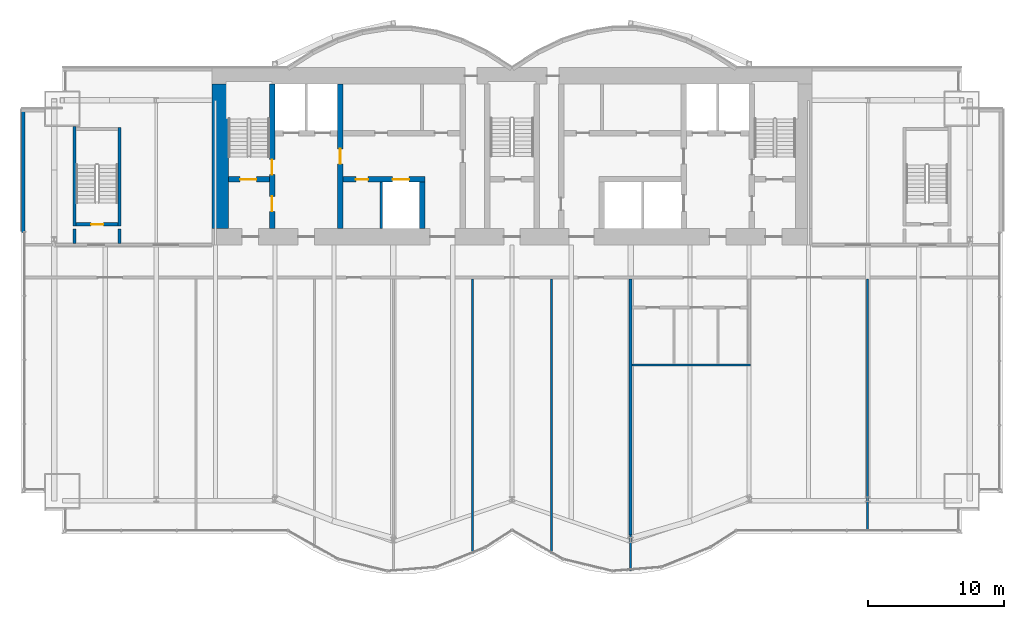
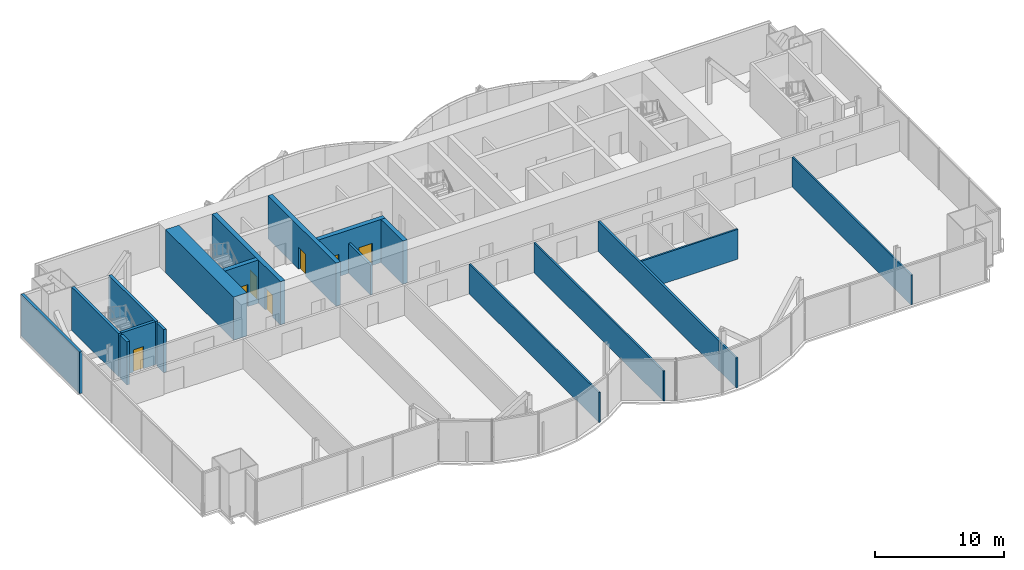
# One storey, part 15 of 21: 19 walls, 7 doors, 7 openings.
"""IFC4 building model written with IfcOpenShell, lengths in metres."""

from ifc_helpers import new_model, si_unit, direction, frame, frame_2d, origin, place, context, subcontext, project, spatial, rectangle, extrude, material, layer, layer_set, layer_usage, type_object, element, fill, save


model = new_model("IFC4")

# Units and contexts
model_context = context("Model", 3, precision=1e-05, world=origin(), true_north=direction((0.0, 1.0)))
body_context = subcontext(model_context, "Body", "Model", "MODEL_VIEW")
ifc_project = project(units=[si_unit("LENGTHUNIT", "METRE"), si_unit("AREAUNIT", "SQUARE_METRE"), si_unit("VOLUMEUNIT", "CUBIC_METRE"), si_unit("PLANEANGLEUNIT", "RADIAN"), si_unit("MASSUNIT", "GRAM", prefix="KILO")], contexts=[model_context])

# Site, building, storey
site_placement = place(None, origin())
site = spatial("IfcSite", under=ifc_project, at=site_placement, CompositionType="ELEMENT")
building_placement = place(site_placement, origin())
building = spatial("IfcBuilding", under=site, at=building_placement, Name="Bicima Exchange Tower", CompositionType="ELEMENT")
storey_placement = place(building_placement, frame((0.0, 0.0, 173.199951171875)))
storey = spatial("IfcBuildingStorey", under=building, at=storey_placement, Name="L38", CompositionType="ELEMENT", Elevation=173.199951171875)

# Walls
ifc_material_1 = material(Name="Gypsum board partition")
ifc_layer_1 = layer(ifc_material_1, 0.199951171875)
ifc_layer_set_1 = layer_set([ifc_layer_1], Name="Gypsum board partition")
wall_type_1 = type_object("IfcWallType", Name="Fire-rated gypsum partition 200 EI120", PredefinedType="PARTITIONING", material=ifc_layer_set_1)
wall_1_placement = place(storey_placement, frame((-9.60009765625, -11.800048828125, 0.0), z_axis=(0.0, 0.0, 1.0), x_axis=(0.0, 1.0, 0.0)))
element("IfcWall", 1, at=wall_1_placement, inside=storey, type_object=wall_type_1, Name="partition wall 11", PredefinedType="PARTITIONING", context=body_context, shape_type="SweptSolid", body=[
    extrude(rectangle(XDim=3.400146484375, YDim=0.199951171875, at=frame_2d((1.7001953125, 0.0))), origin(), (0.0, 0.0, 1.0), 2.84033203125),
])
ifc_layer_2 = layer(ifc_material_1, 0.199951171875)
ifc_layer_set_2 = layer_set([ifc_layer_2], Name="Gypsum board partition")
wall_type_2 = type_object("IfcWallType", Name="Fire-rated gypsum partition 200 EI60", PredefinedType="PARTITIONING", material=ifc_layer_set_2)
wall_2_placement = place(storey_placement, frame((8.699951171875, -34.3017578125, 0.0), z_axis=(0.0, 0.0, 1.0), x_axis=(0.0, 1.0, 0.0)))
element("IfcWall", 2, at=wall_2_placement, inside=storey, type_object=wall_type_2, Name="partition wall 22", PredefinedType="PARTITIONING", context=body_context, shape_type="SweptSolid", body=[
    extrude(rectangle(XDim=18.8017578125, YDim=0.199951171875, at=frame_2d((9.40087890625, 0.0))), origin(), (0.0, 0.0, 1.0), 2.84033203125),
])
ifc_layer_3 = layer(ifc_material_1, 0.14990234375)
ifc_layer_set_3 = layer_set([ifc_layer_3], Name="Gypsum board partition")
wall_type_3 = type_object("IfcWallType", Name="Gypsum partition 150", PredefinedType="PARTITIONING", material=ifc_layer_set_3)
wall_3_placement = place(storey_placement, frame((8.800048828125, -21.800048828125, 0.0), z_axis=(0.0, 0.0, 1.0), x_axis=(1.0, 0.0, 0.0)))
element("IfcWall", 3, at=wall_3_placement, inside=storey, type_object=wall_type_3, Name="partition wall 1", PredefinedType="PARTITIONING", context=body_context, shape_type="SweptSolid", body=[
    extrude(rectangle(XDim=8.699951171875, YDim=0.14990234375, at=frame_2d((4.35009765625, 0.0))), origin(), (0.0, 0.0, 1.0), 2.84033203125),
])
for number, where, z_axis, x_axis, name in (
    (4, (-2.89990234375, -35.659912109375, 0.0), (0.0, 0.0, 1.0), (0.0, 1.0, 0.0), "partition wall 19"),
    (5, (2.89990234375, -35.659912109375, 0.0), (0.0, 0.0, 1.0), (0.0, 1.0, 0.0), "partition wall 20"),
):
    element("IfcWall", number, at=place(storey_placement, frame(where, z_axis=z_axis, x_axis=x_axis)), inside=storey, type_object=wall_type_3, Name=name, PredefinedType="PARTITIONING", context=body_context, shape_type="SweptSolid", body=[
        extrude(rectangle(XDim=20.159912109375, YDim=0.14990234375, at=frame_2d((10.080078125, 0.0))), origin(), (0.0, 0.0, 1.0), 2.84033203125),
    ])
wall_4_placement = place(storey_placement, frame((8.699951171875, -36.93994140625, 0.0), z_axis=(0.0, 0.0, 1.0), x_axis=(0.0, 1.0, 0.0)))
element("IfcWall", 6, at=wall_4_placement, inside=storey, type_object=wall_type_3, Name="partition wall 21", PredefinedType="PARTITIONING", context=body_context, shape_type="SweptSolid", body=[
    extrude(rectangle(XDim=2.63818359375, YDim=0.14990234375, at=frame_2d((1.319091796875, 0.0))), origin(), (0.0, 0.0, 1.0), 2.84033203125),
])
wall_5_placement = place(storey_placement, frame((26.10009765625, -33.97998046875, 0.0), z_axis=(0.0, 0.0, 1.0), x_axis=(0.0, 1.0, 0.0)))
element("IfcWall", 7, at=wall_5_placement, inside=storey, type_object=wall_type_3, Name="partition wall 26", PredefinedType="PARTITIONING", context=body_context, shape_type="SweptSolid", body=[
    extrude(rectangle(XDim=18.47998046875, YDim=0.14990234375, at=frame_2d((9.239990234375, 0.0))), origin(), (0.0, 0.0, 1.0), 2.84033203125),
])
ifc_material_2 = material(Name="Concrete C50/60", Category="concrete")
ifc_layer_4 = layer(ifc_material_2, 1.199951171875)
ifc_layer_set_4 = layer_set([ifc_layer_4], Name="Concrete C50/60")
wall_type_4 = type_object("IfcWallType", Name="RC core wall 1200 C50/60", PredefinedType="SHEAR", material=ifc_layer_set_4)
wall_6_placement = place(storey_placement, frame((-21.39990234375, -11.800048828125, 0.0), z_axis=(0.0, 0.0, 1.0), x_axis=(0.0, 1.0, 0.0)))
element("IfcWall", 8, at=wall_6_placement, inside=storey, type_object=wall_type_4, Name="Core wall west", PredefinedType="SHEAR", context=body_context, shape_type="SweptSolid", body=[
    extrude(rectangle(XDim=10.60009765625, YDim=1.199951171875, at=frame_2d((5.300048828125, 0.0))), origin(), (0.0, 0.0, 1.0), 4.10009765625),
])
ifc_layer_5 = layer(ifc_material_2, 0.25)
ifc_layer_set_5 = layer_set([ifc_layer_5], Name="Concrete C50/60")
wall_type_5 = type_object("IfcWallType", Name="RC core wall 250 C50/60", PredefinedType="SHEAR", material=ifc_layer_set_5)
for number, where, z_axis, x_axis, name in (
    (9, (-32.10009765625, -12.89990234375, 0.0), (0.0, 0.0, 1.0), (0.0, 1.0, 0.0), "stair wall 12"),
    (10, (-28.800048828125, -12.89990234375, 0.0), (0.0, 0.0, 1.0), (0.0, 1.0, 0.0), "stair wall 13"),
):
    element("IfcWall", number, at=place(storey_placement, frame(where, z_axis=z_axis, x_axis=x_axis)), inside=storey, type_object=wall_type_5, Name=name, PredefinedType="SHEAR", context=body_context, shape_type="SweptSolid", body=[
        extrude(rectangle(XDim=1.0498046875, YDim=0.25, at=frame_2d((0.52490234375, 0.0))), origin(), (0.0, 0.0, 1.0), 4.10009765625),
    ])

# Wall, opening, door
ifc_layer_6 = layer(ifc_material_2, 0.39990234375)
ifc_layer_set_6 = layer_set([ifc_layer_6], Name="Concrete C50/60")
wall_type_6 = type_object("IfcWallType", Name="RC core wall 400 C50/60", PredefinedType="SHEAR", material=ifc_layer_set_6)
wall_7_placement = place(storey_placement, frame((-20.800048828125, -8.199951171875, 0.0), z_axis=(0.0, 0.0, 1.0), x_axis=(1.0, 0.0, 0.0)))
wall_7 = element("IfcWall", 11, at=wall_7_placement, inside=storey, type_object=wall_type_6, Name="stair wall 1", PredefinedType="SHEAR", context=body_context, shape_type="SweptSolid", body=[
    extrude(rectangle(XDim=3.0, YDim=0.39990234375, at=frame_2d((1.5, 0.0))), origin(), (0.0, 0.0, 1.0), 4.10009765625),
])
opening_1_placement = place(wall_7_placement, frame((0.85009765625, 0.0, 0.0)))
opening_1 = element("IfcOpeningElement", 12, at=opening_1_placement, cuts=wall_7, Name="Opening L38-C01", PredefinedType="OPENING", context=body_context, shape_type="SweptSolid", body=[
    extrude(rectangle(XDim=1.199951171875, YDim=2.10009765625, at=frame_2d((0.60009765625, 1.050048828125))), frame((0.0, 0.2119140625, 0.0), z_axis=(0.0, -1.0, 0.0), x_axis=(1.0, 0.0, 0.0)), (0.0, 0.0, 1.0), 0.423828125),
])
ifc_material_3 = material(Name="Steel fire door leaf", Category="steel")
door_type_1 = type_object("IfcDoorType", Name="Door 1200 swing FD60S", OperationType="SINGLE_SWING_LEFT", PredefinedType="DOOR", material=ifc_material_3)
door_1_placement = place(opening_1_placement, origin())
door_1 = element("IfcDoor", 13, at=door_1_placement, inside=storey, type_object=door_type_1, Name="Core door", OperationType="SINGLE_SWING_LEFT", OverallHeight=2.10009765625, OverallWidth=1.199951171875, PredefinedType="DOOR", context=body_context, shape_type="SweptSolid", body=[
    extrude(rectangle(XDim=1.199951171875, YDim=2.10009765625, at=frame_2d((0.60009765625, 1.050048828125))), frame((0.0, 0.02490234375, 0.0), z_axis=(0.0, -1.0, 0.0), x_axis=(1.0, 0.0, 0.0)), (0.0, 0.0, 1.0), 0.050048828125),
])
fill(opening_1, door_1)

# Wall, openings, doors
wall_8_placement = place(storey_placement, frame((-12.39990234375, -8.199951171875, 0.0), z_axis=(0.0, 0.0, 1.0), x_axis=(1.0, 0.0, 0.0)))
wall_8 = element("IfcWall", 14, at=wall_8_placement, inside=storey, type_object=wall_type_6, Name="shear wall 2", PredefinedType="SHEAR", context=body_context, shape_type="SweptSolid", body=[
    extrude(rectangle(XDim=6.0, YDim=0.39990234375, at=frame_2d((3.0, 0.0))), origin(), (0.0, 0.0, 1.0), 4.10009765625),
])
opening_2_placement = place(wall_8_placement, frame((3.64990234375, 0.0, 0.0)))
opening_2 = element("IfcOpeningElement", 15, at=opening_2_placement, cuts=wall_8, Name="Opening LD-MB1-L38", PredefinedType="OPENING", context=body_context, shape_type="SweptSolid", body=[
    extrude(rectangle(XDim=1.199951171875, YDim=2.10009765625, at=frame_2d((0.60009765625, 1.050048828125))), frame((0.0, 0.2119140625, 0.0), z_axis=(0.0, -1.0, 0.0), x_axis=(1.0, 0.0, 0.0)), (0.0, 0.0, 1.0), 0.423828125),
])
opening_3_placement = place(wall_8_placement, frame((0.949951171875, 0.0, 0.0)))
opening_3 = element("IfcOpeningElement", 16, at=opening_3_placement, cuts=wall_8, Name="Opening L38-C16", PredefinedType="OPENING", context=body_context, shape_type="SweptSolid", body=[
    extrude(rectangle(XDim=0.89990234375, YDim=2.10009765625, at=frame_2d((0.449951171875, 1.050048828125))), frame((0.0, 0.2119140625, 0.0), z_axis=(0.0, -1.0, 0.0), x_axis=(1.0, 0.0, 0.0)), (0.0, 0.0, 1.0), 0.423828125),
])
door_type_2 = type_object("IfcDoorType", Name="Door 900 swing FD30S", OperationType="SINGLE_SWING_LEFT", PredefinedType="DOOR", material=ifc_material_3)
door_2_placement = place(opening_3_placement, frame((0.89990234375, 0.0, 0.0), z_axis=(0.0, 0.0, 1.0), x_axis=(-1.0, 0.0, 0.0)))
door_2 = element("IfcDoor", 17, at=door_2_placement, inside=storey, type_object=door_type_2, Name="Core door", OperationType="SINGLE_SWING_LEFT", OverallHeight=2.10009765625, OverallWidth=0.89990234375, PredefinedType="DOOR", context=body_context, shape_type="SweptSolid", body=[
    extrude(rectangle(XDim=0.89990234375, YDim=2.10009765625, at=frame_2d((0.449951171875, 1.050048828125))), frame((0.0, 0.02490234375, 0.0), z_axis=(0.0, -1.0, 0.0), x_axis=(1.0, 0.0, 0.0)), (0.0, 0.0, 1.0), 0.050048828125),
])
fill(opening_3, door_2)
ifc_material_4 = material(Name="Stainless steel", Category="steel")
door_type_3 = type_object("IfcDoorType", Name="Lift landing door 1200 sliding", OperationType="DOUBLE_DOOR_SLIDING", PredefinedType="DOOR", material=ifc_material_4)
door_3_placement = place(opening_2_placement, origin())
door_3 = element("IfcDoor", 18, at=door_3_placement, inside=storey, type_object=door_type_3, Name="Lift landing door MB1", OperationType="DOUBLE_DOOR_SLIDING", OverallHeight=2.10009765625, OverallWidth=1.199951171875, PredefinedType="DOOR", context=body_context, shape_type="SweptSolid", body=[
    extrude(rectangle(XDim=1.199951171875, YDim=2.10009765625, at=frame_2d((0.60009765625, 1.050048828125))), frame((0.0, 0.02490234375, 0.0), z_axis=(0.0, -1.0, 0.0), x_axis=(1.0, 0.0, 0.0)), (0.0, 0.0, 1.0), 0.050048828125),
])
fill(opening_2, door_3)

wall_9_placement = place(storey_placement, frame((-17.60009765625, -11.800048828125, 0.0), z_axis=(0.0, 0.0, 1.0), x_axis=(0.0, 1.0, 0.0)))
wall_9 = element("IfcWall", 19, at=wall_9_placement, inside=storey, type_object=wall_type_6, Name="stair wall 8", PredefinedType="SHEAR", context=body_context, shape_type="SweptSolid", body=[
    extrude(rectangle(XDim=10.60009765625, YDim=0.39990234375, at=frame_2d((5.300048828125, 0.0))), origin(), (0.0, 0.0, 1.0), 4.10009765625),
])
opening_4_placement = place(wall_9_placement, frame((1.25, 0.0, 0.0)))
opening_4 = element("IfcOpeningElement", 20, at=opening_4_placement, cuts=wall_9, Name="Opening L38-C02", PredefinedType="OPENING", context=body_context, shape_type="SweptSolid", body=[
    extrude(rectangle(XDim=1.10009765625, YDim=2.10009765625, at=frame_2d((0.550048828125, 1.050048828125))), frame((0.0, 0.2119140625, 0.0), z_axis=(0.0, -1.0, 0.0), x_axis=(1.0, 0.0, 0.0)), (0.0, 0.0, 1.0), 0.423828125),
])
opening_5_placement = place(wall_9_placement, frame((3.949951171875, 0.0, 0.0)))
opening_5 = element("IfcOpeningElement", 21, at=opening_5_placement, cuts=wall_9, Name="Opening L38-C06", PredefinedType="OPENING", context=body_context, shape_type="SweptSolid", body=[
    extrude(rectangle(XDim=1.10009765625, YDim=2.10009765625, at=frame_2d((0.550048828125, 1.050048828125))), frame((0.0, 0.2119140625, 0.0), z_axis=(0.0, -1.0, 0.0), x_axis=(1.0, 0.0, 0.0)), (0.0, 0.0, 1.0), 0.423828125),
])
door_type_4 = type_object("IfcDoorType", Name="Door 1100 swing FD60S", OperationType="SINGLE_SWING_LEFT", PredefinedType="DOOR", material=ifc_material_3)
door_4_placement = place(opening_4_placement, frame((1.10009765625, 0.0, 0.0), z_axis=(0.0, 0.0, 1.0), x_axis=(-1.0, 0.0, 0.0)))
door_4 = element("IfcDoor", 22, at=door_4_placement, inside=storey, type_object=door_type_4, Name="Core door", OperationType="SINGLE_SWING_LEFT", OverallHeight=2.10009765625, OverallWidth=1.10009765625, PredefinedType="DOOR", context=body_context, shape_type="SweptSolid", body=[
    extrude(rectangle(XDim=1.10009765625, YDim=2.10009765625, at=frame_2d((0.550048828125, 1.050048828125))), frame((0.0, 0.02490234375, 0.0), z_axis=(0.0, -1.0, 0.0), x_axis=(1.0, 0.0, 0.0)), (0.0, 0.0, 1.0), 0.050048828125),
])
fill(opening_4, door_4)
door_5_placement = place(opening_5_placement, frame((1.10009765625, 0.0, 0.0), z_axis=(0.0, 0.0, 1.0), x_axis=(-1.0, 0.0, 0.0)))
door_5 = element("IfcDoor", 23, at=door_5_placement, inside=storey, type_object=door_type_4, Name="Core door", OperationType="SINGLE_SWING_LEFT", OverallHeight=2.10009765625, OverallWidth=1.10009765625, PredefinedType="DOOR", context=body_context, shape_type="SweptSolid", body=[
    extrude(rectangle(XDim=1.10009765625, YDim=2.10009765625, at=frame_2d((0.550048828125, 1.050048828125))), frame((0.0, 0.02490234375, 0.0), z_axis=(0.0, -1.0, 0.0), x_axis=(1.0, 0.0, 0.0)), (0.0, 0.0, 1.0), 0.050048828125),
])
fill(opening_5, door_5)

# Wall, opening, door
wall_10_placement = place(storey_placement, frame((-12.60009765625, -11.800048828125, 0.0), z_axis=(0.0, 0.0, 1.0), x_axis=(0.0, 1.0, 0.0)))
wall_10 = element("IfcWall", 24, at=wall_10_placement, inside=storey, type_object=wall_type_6, Name="shear wall 10", PredefinedType="SHEAR", context=body_context, shape_type="SweptSolid", body=[
    extrude(rectangle(XDim=10.60009765625, YDim=0.39990234375, at=frame_2d((5.300048828125, 0.0))), origin(), (0.0, 0.0, 1.0), 4.10009765625),
])
opening_6_placement = place(wall_10_placement, frame((4.75, 0.0, 0.0)))
opening_6 = element("IfcOpeningElement", 25, at=opening_6_placement, cuts=wall_10, Name="Opening L38-C07", PredefinedType="OPENING", context=body_context, shape_type="SweptSolid", body=[
    extrude(rectangle(XDim=1.10009765625, YDim=2.10009765625, at=frame_2d((0.550048828125, 1.050048828125))), frame((0.0, 0.2119140625, 0.0), z_axis=(0.0, -1.0, 0.0), x_axis=(1.0, 0.0, 0.0)), (0.0, 0.0, 1.0), 0.423828125),
])
door_6_placement = place(opening_6_placement, origin())
door_6 = element("IfcDoor", 26, at=door_6_placement, inside=storey, type_object=door_type_4, Name="Core door", OperationType="SINGLE_SWING_LEFT", OverallHeight=2.10009765625, OverallWidth=1.10009765625, PredefinedType="DOOR", context=body_context, shape_type="SweptSolid", body=[
    extrude(rectangle(XDim=1.10009765625, YDim=2.10009765625, at=frame_2d((0.550048828125, 1.050048828125))), frame((0.0, 0.02490234375, 0.0), z_axis=(0.0, -1.0, 0.0), x_axis=(1.0, 0.0, 0.0)), (0.0, 0.0, 1.0), 0.050048828125),
])
fill(opening_6, door_6)

# Walls
wall_11_placement = place(storey_placement, frame((-6.60009765625, -11.800048828125, 0.0), z_axis=(0.0, 0.0, 1.0), x_axis=(0.0, 1.0, 0.0)))
element("IfcWall", 27, at=wall_11_placement, inside=storey, type_object=wall_type_6, Name="shear wall 12", PredefinedType="SHEAR", context=body_context, shape_type="SweptSolid", body=[
    extrude(rectangle(XDim=3.400146484375, YDim=0.39990234375, at=frame_2d((1.7001953125, 0.0))), origin(), (0.0, 0.0, 1.0), 4.10009765625),
])
ifc_layer_7 = layer(ifc_material_2, 0.25)
ifc_layer_set_7 = layer_set([ifc_layer_7], Name="Concrete C50/60")
wall_type_7 = type_object("IfcWallType", Name="RC stair enclosure wall 250 C50/60", PredefinedType="SHEAR", material=ifc_layer_set_7)
wall_12_placement = place(storey_placement, frame((-32.10009765625, -11.625, 0.0), z_axis=(0.0, 0.0, 1.0), x_axis=(0.0, 1.0, 0.0)))
element("IfcWall", 28, at=wall_12_placement, inside=storey, type_object=wall_type_7, Name="West end exit stair wall W", PredefinedType="SHEAR", context=body_context, shape_type="SweptSolid", body=[
    extrude(rectangle(XDim=7.324951171875, YDim=0.25, at=frame_2d((3.66259765625, 0.0))), origin(), (0.0, 0.0, 1.0), 4.10009765625),
])
wall_13_placement = place(storey_placement, frame((-28.800048828125, -11.625, 0.0), z_axis=(0.0, 0.0, 1.0), x_axis=(0.0, 1.0, 0.0)))
element("IfcWall", 29, at=wall_13_placement, inside=storey, type_object=wall_type_7, Name="West end exit stair wall E", PredefinedType="SHEAR", context=body_context, shape_type="SweptSolid", body=[
    extrude(rectangle(XDim=7.25, YDim=0.25, at=frame_2d((3.625, 0.0))), origin(), (0.0, 0.0, 1.0), 4.10009765625),
])

# Wall, opening, door
wall_14_placement = place(storey_placement, frame((-31.97509765625, -11.5, 0.0), z_axis=(0.0, 0.0, 1.0), x_axis=(1.0, 0.0, 0.0)))
wall_14 = element("IfcWall", 30, at=wall_14_placement, inside=storey, type_object=wall_type_7, Name="West end exit stair wall S", PredefinedType="SHEAR", context=body_context, shape_type="SweptSolid", body=[
    extrude(rectangle(XDim=3.050048828125, YDim=0.25, at=frame_2d((1.52490234375, 0.0))), origin(), (0.0, 0.0, 1.0), 4.10009765625),
])
opening_7_placement = place(wall_14_placement, frame((1.10009765625, 0.0, 0.0)))
opening_7 = element("IfcOpeningElement", 31, at=opening_7_placement, cuts=wall_14, Name="Opening L38-002", PredefinedType="OPENING", context=body_context, shape_type="SweptSolid", body=[
    extrude(rectangle(XDim=0.89990234375, YDim=2.10009765625, at=frame_2d((0.449951171875, 1.050048828125))), frame((0.0, 0.136962890625, 0.0), z_axis=(0.0, -1.0, 0.0), x_axis=(1.0, 0.0, 0.0)), (0.0, 0.0, 1.0), 0.27392578125),
])
door_type_5 = type_object("IfcDoorType", Name="Door 900 swing FD60S", OperationType="SINGLE_SWING_LEFT", PredefinedType="DOOR", material=ifc_material_3)
door_7_placement = place(opening_7_placement, origin())
door_7 = element("IfcDoor", 32, at=door_7_placement, inside=storey, type_object=door_type_5, Name="Door", OperationType="SINGLE_SWING_LEFT", OverallHeight=2.10009765625, OverallWidth=0.89990234375, PredefinedType="DOOR", context=body_context, shape_type="SweptSolid", body=[
    extrude(rectangle(XDim=0.89990234375, YDim=2.10009765625, at=frame_2d((0.449951171875, 1.050048828125))), frame((0.0, 0.02490234375, 0.0), z_axis=(0.0, -1.0, 0.0), x_axis=(1.0, 0.0, 0.0)), (0.0, 0.0, 1.0), 0.050048828125),
])
fill(opening_7, door_7)

# Wall
ifc_material_5 = material(Name="Concrete C40/50", Category="concrete")
ifc_layer_8 = layer(ifc_material_5, 0.25)
ifc_layer_set_8 = layer_set([ifc_layer_8], Name="Concrete C40/50")
ifc_layer_usage = layer_usage(ifc_layer_set_8, "AXIS2", "POSITIVE", -0.125)
wall_type_8 = type_object("IfcWallType", Name="Rear backup wall 250", PredefinedType="STANDARD", material=ifc_layer_set_8)
wall_15_placement = place(storey_placement, frame((-35.875, -3.0, 0.0), z_axis=(0.0, 0.0, 1.0), x_axis=(0.0, -1.0, 0.0)))
element("IfcWall", 33, at=wall_15_placement, inside=storey, type_object=wall_type_8, material=ifc_layer_usage, Name="Rear backup wall L38 23", PredefinedType="STANDARD", context=body_context, shape_type="SweptSolid", body=[
    extrude(rectangle(XDim=9.090087890625, YDim=0.25, at=frame_2d((4.544921875, 0.0))), origin(), (0.0, 0.0, 1.0), 3.949951171875),
])

save(model, "model.ifc")
